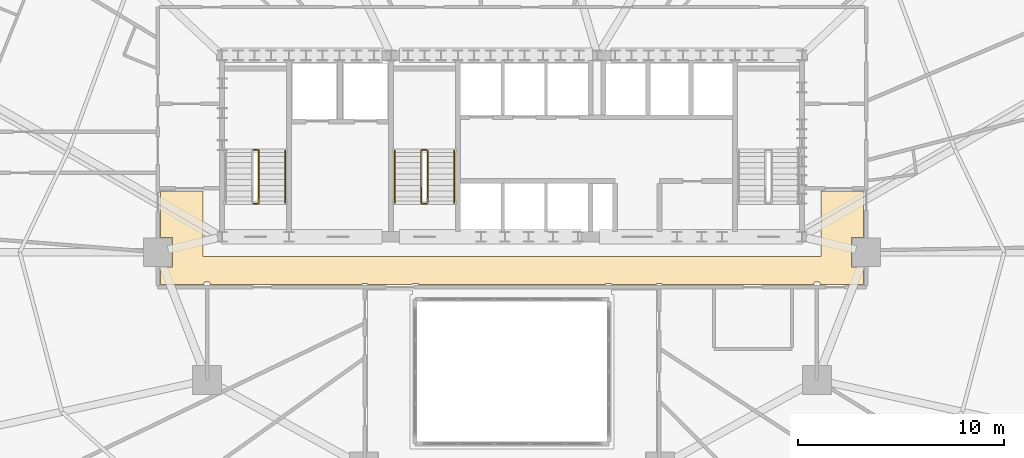
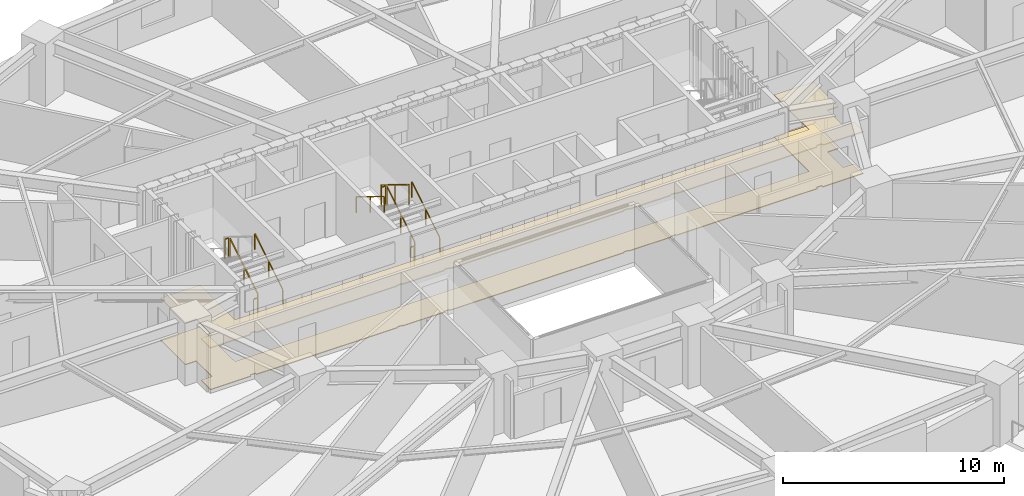
# One storey, part 15 of 17: 10 railings, 2 coverings.
"""IFC4 building model written with IfcOpenShell, lengths in metres."""

import ifcopenshell
import ifcopenshell.guid

model = None  # the IFC model being written
_history = None  # IfcOwnerHistory: only IFC2X3 demands one
_inside = {}  # id of a spatial element -> (the spatial element, [elements in it])
_under = {}  # id of a project, library or spatial element -> (it, [spatial elements below it])
_declared = {}  # id of a project -> (the project, [libraries it declares])
_typed = {}  # id of a type object -> (the type object, [elements of that type])
_made_of = {}  # id of a material, layer set ... -> (it, [elements and type objects made of it])


def new_model(schema):
    """Start an empty IFC model of exactly this schema.

    Asked for "IFC4X3", IfcOpenShell would pick the latest addendum, in which some entities
    have other attributes; the version numbers below select the first issue.
    IFC2X3 requires an IfcOwnerHistory on every rooted entity: one is made here for all.
    """
    global model, _history
    if schema == "IFC4X3":
        model = ifcopenshell.file(schema_version=(4, 3, 0, 0))
    else:
        model = ifcopenshell.file(schema=schema)
    _inside.clear()
    _under.clear()
    _declared.clear()
    _typed.clear()
    _made_of.clear()
    _history = None
    if model.schema == "IFC2X3":
        org = make("IfcOrganization", Name="unknown")
        user = make(
            "IfcPersonAndOrganization",
            ThePerson=make("IfcPerson", FamilyName="unknown"),
            TheOrganization=org,
        )
        app = make(
            "IfcApplication",
            ApplicationDeveloper=org,
            Version="unknown",
            ApplicationFullName="unknown",
            ApplicationIdentifier="unknown",
        )
        _history = make(
            "IfcOwnerHistory",
            OwningUser=user,
            OwningApplication=app,
            ChangeAction="ADDED",
            CreationDate=0,
        )
    return model


def make(cls, **values):
    """One entity of the class cls with the attributes given. An attribute that is None is left unset."""
    return model.create_entity(
        cls, **{name: value for name, value in values.items() if value is not None}
    )


def rooted(cls, **values):
    """An entity with a GlobalId (a new one), such as an element, a storey or a relation."""
    return make(cls, GlobalId=ifcopenshell.guid.new(), OwnerHistory=_history, **values)


def si_unit(unit_type, name, prefix=None):
    """IfcSIUnit, for example si_unit("LENGTHUNIT", "METRE", prefix="MILLI")."""
    return make("IfcSIUnit", UnitType=unit_type, Prefix=prefix, Name=name)


def assignment(units):
    """IfcUnitAssignment: the units of a project."""
    return None if units is None else make("IfcUnitAssignment", Units=units)


def point(xyz):
    """IfcCartesianPoint."""
    return None if xyz is None else make("IfcCartesianPoint", Coordinates=xyz)


def direction(xyz):
    """IfcDirection."""
    return None if xyz is None else make("IfcDirection", DirectionRatios=xyz)


def frame(location, z_axis=None, x_axis=None):
    """IfcAxis2Placement3D, a coordinate frame: its origin and axes. An axis left out is left unset."""
    return make(
        "IfcAxis2Placement3D",
        Location=point(location),
        Axis=direction(z_axis),
        RefDirection=direction(x_axis),
    )


def frame_2d(location, x_axis=None):
    """IfcAxis2Placement2D, a coordinate frame in the plane: its origin and x axis."""
    return make(
        "IfcAxis2Placement2D", Location=point(location), RefDirection=direction(x_axis)
    )


def origin():
    """The frame at (0, 0, 0) with its axes left unset."""
    return frame((0.0, 0.0, 0.0))


def origin_2d():
    """The frame at (0, 0) in the plane with its x axis left unset."""
    return frame_2d((0.0, 0.0))


def place(relative_to, where):
    """IfcLocalPlacement: puts the frame where relative to a parent placement (None: the world)."""
    return make(
        "IfcLocalPlacement", PlacementRelTo=relative_to, RelativePlacement=where
    )


def context(
    kind, dimensions, precision=None, world=None, true_north=None, identifier=None
):
    """IfcGeometricRepresentationContext, for example the 3D "Model" context."""
    return make(
        "IfcGeometricRepresentationContext",
        ContextIdentifier=identifier,
        ContextType=kind,
        CoordinateSpaceDimension=dimensions,
        Precision=precision,
        WorldCoordinateSystem=world,
        TrueNorth=true_north,
    )


def subcontext(parent, identifier, kind, view, scale=None):
    """IfcGeometricRepresentationSubContext, for example "Body" below "Model"."""
    return make(
        "IfcGeometricRepresentationSubContext",
        ContextIdentifier=identifier,
        ContextType=kind,
        ParentContext=parent,
        TargetScale=scale,
        TargetView=view,
    )


def project(units=None, contexts=None):
    """IfcProject with its units and contexts."""
    return rooted(
        "IfcProject",
        Name="project",
        RepresentationContexts=contexts,
        UnitsInContext=assignment(units),
    )


def spatial(cls, under=None, at=None, **own):
    """A site, building, storey or space (cls), placed at a placement, below another one or the project."""
    s = rooted(cls, ObjectPlacement=at, **own)
    if under is not None:
        _under.setdefault(under.id(), (under, []))[1].append(s)
    return s


def polyline(points):
    """IfcPolyline through the points."""
    return make("IfcPolyline", Points=[point(p) for p in points])


def profile(cls, at=None, kind="AREA", **sizes):
    """A parametric profile (cls). Its sizes go by their IFC names, for example OverallWidth=200.0."""
    return make(cls, ProfileType=kind, Position=at, **sizes)


def rectangle(**sizes):
    """IfcRectangleProfileDef."""
    return profile("IfcRectangleProfileDef", **sizes)


def outline(outer, holes=None, kind="AREA"):
    """IfcArbitraryClosedProfileDef: a profile drawn as a closed curve; with holes, ...WithVoids."""
    if holes is None:
        return make("IfcArbitraryClosedProfileDef", ProfileType=kind, OuterCurve=outer)
    return make(
        "IfcArbitraryProfileDefWithVoids",
        ProfileType=kind,
        OuterCurve=outer,
        InnerCurves=holes,
    )


def extrude(swept, where, along, depth):
    """IfcExtrudedAreaSolid: the profile swept, set in the frame where, extruded along a direction by depth."""
    return make(
        "IfcExtrudedAreaSolid",
        SweptArea=swept,
        Position=where,
        ExtrudedDirection=direction(along),
        Depth=depth,
    )


def shape(context_of_items, identifier, shape_type, items):
    """IfcShapeRepresentation: the items that make up one representation, for example the "Body"."""
    return make(
        "IfcShapeRepresentation",
        ContextOfItems=context_of_items,
        RepresentationIdentifier=identifier,
        RepresentationType=shape_type,
        Items=items,
    )


def material(Name=None, Category=None):
    """IfcMaterial."""
    return make("IfcMaterial", Name=Name, Category=Category)


def layer(
    of_material, thickness, ventilated=None, Name=None, Category=None, Priority=None
):
    """IfcMaterialLayer: one layer of a wall or slab, of a material (None: an air gap)."""
    return make(
        "IfcMaterialLayer",
        Material=of_material,
        LayerThickness=thickness,
        IsVentilated=ventilated,
        Name=Name,
        Category=Category,
        Priority=Priority,
    )


def layer_set(layers, Name=None):
    """IfcMaterialLayerSet."""
    return make("IfcMaterialLayerSet", MaterialLayers=layers, LayerSetName=Name)


def made_of(thing, what):
    """Note that an element or type object is made of a material, layer set ...; save() writes the relation."""
    if what is not None:
        _made_of.setdefault(what.id(), (what, []))[1].append(thing)
    return thing


def type_object(cls, material=None, **own):
    """A type object (cls), such as IfcWallType, which elements share."""
    return made_of(rooted(cls, **own), material)


def element(
    cls,
    number,
    at=None,
    inside=None,
    cuts=None,
    type_object=None,
    material=None,
    context=None,
    identifier="Body",
    shape_type=None,
    held_by="IfcProductDefinitionShape",
    body=None,
    shapes=None,
    **own,
):
    """One element of the class cls, such as IfcWall. Its Tag is "e" and its number.

    at: its placement. inside: the storey or other place that contains it. cuts: it is an
    opening in that element (IfcRelVoidsElement). A single representation is given by context,
    identifier, shape_type and body (its items); several are given by shapes. held_by: the class
    of the entity that holds the representations. save() writes the other relations.
    """
    e = rooted(cls, Tag="e%d" % number, ObjectPlacement=at, **own)
    if body is not None:
        shapes = [shape(context, identifier, shape_type, body)]
    if shapes is not None:
        e.Representation = make(held_by, Representations=shapes)
    if inside is not None:
        _inside.setdefault(inside.id(), (inside, []))[1].append(e)
    if cuts is not None:
        rooted(
            "IfcRelVoidsElement", RelatingBuildingElement=cuts, RelatedOpeningElement=e
        )
    if type_object is not None:
        _typed.setdefault(type_object.id(), (type_object, []))[1].append(e)
    return made_of(e, material)


def aggregate(whole, parts):
    """IfcRelAggregates: a whole, such as a stair, and the parts it consists of."""
    return rooted("IfcRelAggregates", RelatingObject=whole, RelatedObjects=parts)


def save(model, path):
    """Write the relations noted so far, then the file.

    IfcRelAggregates (storeys below a building ...), IfcRelContainedInSpatialStructure (elements
    in a storey), IfcRelDefinesByType, IfcRelAssociatesMaterial and IfcRelDeclares: one each for
    every whole, place, type object, material and project.
    """
    for whole, parts in _under.values():
        aggregate(whole, parts)
    for where, things in _inside.values():
        rooted(
            "IfcRelContainedInSpatialStructure",
            RelatedElements=things,
            RelatingStructure=where,
        )
    for kind, things in _typed.values():
        rooted("IfcRelDefinesByType", RelatedObjects=things, RelatingType=kind)
    for what, things in _made_of.values():
        rooted("IfcRelAssociatesMaterial", RelatedObjects=things, RelatingMaterial=what)
    for by, libraries in _declared.values():
        rooted("IfcRelDeclares", RelatingContext=by, RelatedDefinitions=libraries)
    model.write(path)


model = new_model("IFC4")

# Units and contexts
model_context = context("Model", 3, precision=1e-05, world=origin(), true_north=direction((0.0, 1.0)))
body_context = subcontext(model_context, "Body", "Model", "MODEL_VIEW")
ifc_project = project(units=[si_unit("LENGTHUNIT", "METRE"), si_unit("AREAUNIT", "SQUARE_METRE"), si_unit("VOLUMEUNIT", "CUBIC_METRE"), si_unit("PLANEANGLEUNIT", "RADIAN"), si_unit("MASSUNIT", "GRAM", prefix="KILO")], contexts=[model_context])

# Site, building, storey
site_placement = place(None, origin())
site = spatial("IfcSite", under=ifc_project, at=site_placement, CompositionType="ELEMENT")
building_placement = place(site_placement, origin())
building = spatial("IfcBuilding", under=site, at=building_placement, Name="Haldorwick Loom Tower", CompositionType="ELEMENT")
storey_placement = place(building_placement, frame((0.0, 0.0, 30.89990234375)))
storey = spatial("IfcBuildingStorey", under=building, at=storey_placement, Name="L07", CompositionType="ELEMENT", Elevation=30.89990234375)

# Coverings
ifc_material_1 = material(Name="Mineral Fibre Acoustic Ceiling Tile")
ifc_layer_1 = layer(ifc_material_1, 0.054931640625, Name="Mineral Fibre Acoustic Ceiling Tile")
ifc_layer_set_1 = layer_set([ifc_layer_1], Name="Mineral Fibre Acoustic Ceiling Tile")
covering_type_1 = type_object("IfcCoveringType", Name="ARC-COV-CEIL2", PredefinedType="CEILING", material=ifc_layer_set_1)
covering_1_placement = place(storey_placement, frame((0.0, 0.0, 2.302001953125)))
element("IfcCovering", 1, at=covering_1_placement, inside=storey, type_object=covering_type_1, Name="L07 Acoustic Suspended Ceiling 2", PredefinedType="CEILING", context=body_context, shape_type="SweptSolid", body=[
    extrude(outline(polyline([(51.0, 28.9599609375), (51.0, 25.800048828125), (21.0, 25.800048828125), (21.0, 28.9599609375), (18.93994140625, 28.9599609375), (18.93994140625, 26.7080078125), (19.508056640625, 26.7080078125), (19.508056640625, 25.2919921875), (18.93994140625, 25.2919921875), (18.93994140625, 24.43994140625), (21.06005859375, 24.43994140625), (21.06005859375, 24.52001953125), (21.06005859375, 24.52197265625), (21.060302734375, 24.52392578125), (21.060791015625, 24.52587890625), (21.0615234375, 24.527587890625), (21.0625, 24.529296875), (21.0634765625, 24.531005859375), (21.064453125, 24.53271484375), (21.06591796875, 24.5341796875), (21.0673828125, 24.535400390625), (21.06884765625, 24.53662109375), (21.070556640625, 24.53759765625), (21.072265625, 24.53857421875), (21.07421875, 24.5390625), (21.076171875, 24.53955078125), (21.077880859375, 24.539794921875), (21.080078125, 24.5400390625), (21.320068359375, 24.5400390625), (21.322021484375, 24.539794921875), (21.323974609375, 24.53955078125), (21.32568359375, 24.5390625), (21.32763671875, 24.53857421875), (21.329345703125, 24.53759765625), (21.3310546875, 24.53662109375), (21.332763671875, 24.535400390625), (21.333984375, 24.5341796875), (21.33544921875, 24.53271484375), (21.336669921875, 24.531005859375), (21.337646484375, 24.529296875), (21.33837890625, 24.527587890625), (21.339111328125, 24.52587890625), (21.339599609375, 24.52392578125), (21.33984375, 24.52197265625), (21.340087890625, 24.52001953125), (21.340087890625, 24.43994140625), (28.7099609375, 24.43994140625), (28.7099609375, 24.469970703125), (28.710205078125, 24.471923828125), (28.71044921875, 24.473876953125), (28.7109375, 24.475830078125), (28.71142578125, 24.477783203125), (28.71240234375, 24.4794921875), (28.71337890625, 24.481201171875), (28.714599609375, 24.482666015625), (28.7158203125, 24.484130859375), (28.71728515625, 24.485595703125), (28.718994140625, 24.486572265625), (28.720703125, 24.487548828125), (28.722412109375, 24.488525390625), (28.72412109375, 24.489013671875), (28.72607421875, 24.489501953125), (28.72802734375, 24.489990234375), (28.72998046875, 24.489990234375), (28.969970703125, 24.489990234375), (28.971923828125, 24.489990234375), (28.973876953125, 24.489501953125), (28.975830078125, 24.489013671875), (28.977783203125, 24.488525390625), (28.9794921875, 24.487548828125), (28.981201171875, 24.486572265625), (28.982666015625, 24.485595703125), (28.984130859375, 24.484130859375), (28.985595703125, 24.482666015625), (28.986572265625, 24.481201171875), (28.987548828125, 24.4794921875), (28.988525390625, 24.477783203125), (28.989013671875, 24.475830078125), (28.989501953125, 24.473876953125), (28.989990234375, 24.471923828125), (28.989990234375, 24.469970703125), (28.989990234375, 24.43994140625), (31.179931640625, 24.43994140625), (31.179931640625, 24.469970703125), (31.18017578125, 24.471923828125), (31.180419921875, 24.473876953125), (31.180908203125, 24.475830078125), (31.181396484375, 24.477783203125), (31.182373046875, 24.4794921875), (31.183349609375, 24.481201171875), (31.1845703125, 24.482666015625), (31.185791015625, 24.484130859375), (31.187255859375, 24.485595703125), (31.18896484375, 24.486572265625), (31.190673828125, 24.487548828125), (31.1923828125, 24.488525390625), (31.194091796875, 24.489013671875), (31.196044921875, 24.489501953125), (31.197998046875, 24.489990234375), (31.199951171875, 24.489990234375), (31.43994140625, 24.489990234375), (31.44189453125, 24.489990234375), (31.44384765625, 24.489501953125), (31.44580078125, 24.489013671875), (31.44775390625, 24.488525390625), (31.449462890625, 24.487548828125), (31.451171875, 24.486572265625), (31.45263671875, 24.485595703125), (31.4541015625, 24.484130859375), (31.45556640625, 24.482666015625), (31.45654296875, 24.481201171875), (31.45751953125, 24.4794921875), (31.45849609375, 24.477783203125), (31.458984375, 24.475830078125), (31.459716796875, 24.473876953125), (31.4599609375, 24.471923828125), (31.4599609375, 24.469970703125), (31.4599609375, 24.43994140625), (40.5400390625, 24.43994140625), (40.5400390625, 24.469970703125), (40.5400390625, 24.471923828125), (40.540283203125, 24.473876953125), (40.541015625, 24.475830078125), (40.54150390625, 24.477783203125), (40.54248046875, 24.4794921875), (40.54345703125, 24.481201171875), (40.54443359375, 24.482666015625), (40.5458984375, 24.484130859375), (40.54736328125, 24.485595703125), (40.548828125, 24.486572265625), (40.550537109375, 24.487548828125), (40.55224609375, 24.488525390625), (40.55419921875, 24.489013671875), (40.55615234375, 24.489501953125), (40.55810546875, 24.489990234375), (40.56005859375, 24.489990234375), (40.800048828125, 24.489990234375), (40.802001953125, 24.489990234375), (40.803955078125, 24.489501953125), (40.805908203125, 24.489013671875), (40.8076171875, 24.488525390625), (40.809326171875, 24.487548828125), (40.81103515625, 24.486572265625), (40.812744140625, 24.485595703125), (40.814208984375, 24.484130859375), (40.8154296875, 24.482666015625), (40.816650390625, 24.481201171875), (40.817626953125, 24.4794921875), (40.818603515625, 24.477783203125), (40.819091796875, 24.475830078125), (40.819580078125, 24.473876953125), (40.81982421875, 24.471923828125), (40.820068359375, 24.469970703125), (40.820068359375, 24.43994140625), (43.010009765625, 24.43994140625), (43.010009765625, 24.469970703125), (43.010009765625, 24.471923828125), (43.010498046875, 24.473876953125), (43.010986328125, 24.475830078125), (43.011474609375, 24.477783203125), (43.012451171875, 24.4794921875), (43.013427734375, 24.481201171875), (43.014404296875, 24.482666015625), (43.015869140625, 24.484130859375), (43.017333984375, 24.485595703125), (43.018798828125, 24.486572265625), (43.0205078125, 24.487548828125), (43.022216796875, 24.488525390625), (43.024169921875, 24.489013671875), (43.026123046875, 24.489501953125), (43.028076171875, 24.489990234375), (43.030029296875, 24.489990234375), (43.27001953125, 24.489990234375), (43.27197265625, 24.489990234375), (43.27392578125, 24.489501953125), (43.27587890625, 24.489013671875), (43.277587890625, 24.488525390625), (43.279296875, 24.487548828125), (43.281005859375, 24.486572265625), (43.28271484375, 24.485595703125), (43.2841796875, 24.484130859375), (43.285400390625, 24.482666015625), (43.28662109375, 24.481201171875), (43.28759765625, 24.4794921875), (43.28857421875, 24.477783203125), (43.2890625, 24.475830078125), (43.28955078125, 24.473876953125), (43.289794921875, 24.471923828125), (43.2900390625, 24.469970703125), (43.2900390625, 24.43994140625), (50.659912109375, 24.43994140625), (50.659912109375, 24.52001953125), (50.66015625, 24.52197265625), (50.660400390625, 24.52392578125), (50.660888671875, 24.52587890625), (50.66162109375, 24.527587890625), (50.662353515625, 24.529296875), (50.663330078125, 24.531005859375), (50.66455078125, 24.53271484375), (50.666015625, 24.5341796875), (50.667236328125, 24.535400390625), (50.6689453125, 24.53662109375), (50.670654296875, 24.53759765625), (50.67236328125, 24.53857421875), (50.67431640625, 24.5390625), (50.676025390625, 24.53955078125), (50.677978515625, 24.539794921875), (50.679931640625, 24.5400390625), (50.919921875, 24.5400390625), (50.922119140625, 24.539794921875), (50.923828125, 24.53955078125), (50.92578125, 24.5390625), (50.927734375, 24.53857421875), (50.929443359375, 24.53759765625), (50.93115234375, 24.53662109375), (50.9326171875, 24.535400390625), (50.93408203125, 24.5341796875), (50.935546875, 24.53271484375), (50.9365234375, 24.531005859375), (50.9375, 24.529296875), (50.9384765625, 24.527587890625), (50.939208984375, 24.52587890625), (50.939697265625, 24.52392578125), (50.93994140625, 24.52197265625), (50.93994140625, 24.52001953125), (50.93994140625, 24.43994140625), (53.06005859375, 24.43994140625), (53.06005859375, 25.2919921875), (52.491943359375, 25.2919921875), (52.491943359375, 26.7080078125), (53.06005859375, 26.7080078125), (53.06005859375, 28.9599609375), (51.0, 28.9599609375)])), origin(), (0.0, 0.0, 1.0), 0.05517578125),
])
ifc_material_2 = material(Name="Polished Aggregate Terrazzo Finish")
ifc_layer_2 = layer(ifc_material_2, 0.044921875, Name="Polished Aggregate Terrazzo Finish")
ifc_layer_set_2 = layer_set([ifc_layer_2], Name="Polished Aggregate Terrazzo Finish")
covering_type_2 = type_object("IfcCoveringType", Name="ARC-COV-FLOOR2", PredefinedType="FLOORING", material=ifc_layer_set_2)
covering_2_placement = place(storey_placement, origin())
element("IfcCovering", 2, at=covering_2_placement, inside=storey, type_object=covering_type_2, Name="L07 Floor Finish 2", PredefinedType="FLOORING", context=body_context, shape_type="SweptSolid", body=[
    extrude(outline(polyline([(51.0, 28.9599609375), (51.0, 25.800048828125), (21.0, 25.800048828125), (21.0, 28.9599609375), (18.93994140625, 28.9599609375), (18.93994140625, 26.7080078125), (19.508056640625, 26.7080078125), (19.508056640625, 25.2919921875), (18.93994140625, 25.2919921875), (18.93994140625, 24.43994140625), (21.06005859375, 24.43994140625), (21.06005859375, 24.52001953125), (21.06005859375, 24.52197265625), (21.060302734375, 24.52392578125), (21.060791015625, 24.52587890625), (21.0615234375, 24.527587890625), (21.0625, 24.529296875), (21.0634765625, 24.531005859375), (21.064453125, 24.53271484375), (21.06591796875, 24.5341796875), (21.0673828125, 24.535400390625), (21.06884765625, 24.53662109375), (21.070556640625, 24.53759765625), (21.072265625, 24.53857421875), (21.07421875, 24.5390625), (21.076171875, 24.53955078125), (21.077880859375, 24.539794921875), (21.080078125, 24.5400390625), (21.320068359375, 24.5400390625), (21.322021484375, 24.539794921875), (21.323974609375, 24.53955078125), (21.32568359375, 24.5390625), (21.32763671875, 24.53857421875), (21.329345703125, 24.53759765625), (21.3310546875, 24.53662109375), (21.332763671875, 24.535400390625), (21.333984375, 24.5341796875), (21.33544921875, 24.53271484375), (21.336669921875, 24.531005859375), (21.337646484375, 24.529296875), (21.33837890625, 24.527587890625), (21.339111328125, 24.52587890625), (21.339599609375, 24.52392578125), (21.33984375, 24.52197265625), (21.340087890625, 24.52001953125), (21.340087890625, 24.43994140625), (28.7099609375, 24.43994140625), (28.7099609375, 24.469970703125), (28.710205078125, 24.471923828125), (28.71044921875, 24.473876953125), (28.7109375, 24.475830078125), (28.71142578125, 24.477783203125), (28.71240234375, 24.4794921875), (28.71337890625, 24.481201171875), (28.714599609375, 24.482666015625), (28.7158203125, 24.484130859375), (28.71728515625, 24.485595703125), (28.718994140625, 24.486572265625), (28.720703125, 24.487548828125), (28.722412109375, 24.488525390625), (28.72412109375, 24.489013671875), (28.72607421875, 24.489501953125), (28.72802734375, 24.489990234375), (28.72998046875, 24.489990234375), (28.969970703125, 24.489990234375), (28.971923828125, 24.489990234375), (28.973876953125, 24.489501953125), (28.975830078125, 24.489013671875), (28.977783203125, 24.488525390625), (28.9794921875, 24.487548828125), (28.981201171875, 24.486572265625), (28.982666015625, 24.485595703125), (28.984130859375, 24.484130859375), (28.985595703125, 24.482666015625), (28.986572265625, 24.481201171875), (28.987548828125, 24.4794921875), (28.988525390625, 24.477783203125), (28.989013671875, 24.475830078125), (28.989501953125, 24.473876953125), (28.989990234375, 24.471923828125), (28.989990234375, 24.469970703125), (28.989990234375, 24.43994140625), (31.179931640625, 24.43994140625), (31.179931640625, 24.469970703125), (31.18017578125, 24.471923828125), (31.180419921875, 24.473876953125), (31.180908203125, 24.475830078125), (31.181396484375, 24.477783203125), (31.182373046875, 24.4794921875), (31.183349609375, 24.481201171875), (31.1845703125, 24.482666015625), (31.185791015625, 24.484130859375), (31.187255859375, 24.485595703125), (31.18896484375, 24.486572265625), (31.190673828125, 24.487548828125), (31.1923828125, 24.488525390625), (31.194091796875, 24.489013671875), (31.196044921875, 24.489501953125), (31.197998046875, 24.489990234375), (31.199951171875, 24.489990234375), (31.43994140625, 24.489990234375), (31.44189453125, 24.489990234375), (31.44384765625, 24.489501953125), (31.44580078125, 24.489013671875), (31.44775390625, 24.488525390625), (31.449462890625, 24.487548828125), (31.451171875, 24.486572265625), (31.45263671875, 24.485595703125), (31.4541015625, 24.484130859375), (31.45556640625, 24.482666015625), (31.45654296875, 24.481201171875), (31.45751953125, 24.4794921875), (31.45849609375, 24.477783203125), (31.458984375, 24.475830078125), (31.459716796875, 24.473876953125), (31.4599609375, 24.471923828125), (31.4599609375, 24.469970703125), (31.4599609375, 24.43994140625), (40.5400390625, 24.43994140625), (40.5400390625, 24.469970703125), (40.5400390625, 24.471923828125), (40.540283203125, 24.473876953125), (40.541015625, 24.475830078125), (40.54150390625, 24.477783203125), (40.54248046875, 24.4794921875), (40.54345703125, 24.481201171875), (40.54443359375, 24.482666015625), (40.5458984375, 24.484130859375), (40.54736328125, 24.485595703125), (40.548828125, 24.486572265625), (40.550537109375, 24.487548828125), (40.55224609375, 24.488525390625), (40.55419921875, 24.489013671875), (40.55615234375, 24.489501953125), (40.55810546875, 24.489990234375), (40.56005859375, 24.489990234375), (40.800048828125, 24.489990234375), (40.802001953125, 24.489990234375), (40.803955078125, 24.489501953125), (40.805908203125, 24.489013671875), (40.8076171875, 24.488525390625), (40.809326171875, 24.487548828125), (40.81103515625, 24.486572265625), (40.812744140625, 24.485595703125), (40.814208984375, 24.484130859375), (40.8154296875, 24.482666015625), (40.816650390625, 24.481201171875), (40.817626953125, 24.4794921875), (40.818603515625, 24.477783203125), (40.819091796875, 24.475830078125), (40.819580078125, 24.473876953125), (40.81982421875, 24.471923828125), (40.820068359375, 24.469970703125), (40.820068359375, 24.43994140625), (43.010009765625, 24.43994140625), (43.010009765625, 24.469970703125), (43.010009765625, 24.471923828125), (43.010498046875, 24.473876953125), (43.010986328125, 24.475830078125), (43.011474609375, 24.477783203125), (43.012451171875, 24.4794921875), (43.013427734375, 24.481201171875), (43.014404296875, 24.482666015625), (43.015869140625, 24.484130859375), (43.017333984375, 24.485595703125), (43.018798828125, 24.486572265625), (43.0205078125, 24.487548828125), (43.022216796875, 24.488525390625), (43.024169921875, 24.489013671875), (43.026123046875, 24.489501953125), (43.028076171875, 24.489990234375), (43.030029296875, 24.489990234375), (43.27001953125, 24.489990234375), (43.27197265625, 24.489990234375), (43.27392578125, 24.489501953125), (43.27587890625, 24.489013671875), (43.277587890625, 24.488525390625), (43.279296875, 24.487548828125), (43.281005859375, 24.486572265625), (43.28271484375, 24.485595703125), (43.2841796875, 24.484130859375), (43.285400390625, 24.482666015625), (43.28662109375, 24.481201171875), (43.28759765625, 24.4794921875), (43.28857421875, 24.477783203125), (43.2890625, 24.475830078125), (43.28955078125, 24.473876953125), (43.289794921875, 24.471923828125), (43.2900390625, 24.469970703125), (43.2900390625, 24.43994140625), (50.659912109375, 24.43994140625), (50.659912109375, 24.52001953125), (50.66015625, 24.52197265625), (50.660400390625, 24.52392578125), (50.660888671875, 24.52587890625), (50.66162109375, 24.527587890625), (50.662353515625, 24.529296875), (50.663330078125, 24.531005859375), (50.66455078125, 24.53271484375), (50.666015625, 24.5341796875), (50.667236328125, 24.535400390625), (50.6689453125, 24.53662109375), (50.670654296875, 24.53759765625), (50.67236328125, 24.53857421875), (50.67431640625, 24.5390625), (50.676025390625, 24.53955078125), (50.677978515625, 24.539794921875), (50.679931640625, 24.5400390625), (50.919921875, 24.5400390625), (50.922119140625, 24.539794921875), (50.923828125, 24.53955078125), (50.92578125, 24.5390625), (50.927734375, 24.53857421875), (50.929443359375, 24.53759765625), (50.93115234375, 24.53662109375), (50.9326171875, 24.535400390625), (50.93408203125, 24.5341796875), (50.935546875, 24.53271484375), (50.9365234375, 24.531005859375), (50.9375, 24.529296875), (50.9384765625, 24.527587890625), (50.939208984375, 24.52587890625), (50.939697265625, 24.52392578125), (50.93994140625, 24.52197265625), (50.93994140625, 24.52001953125), (50.93994140625, 24.43994140625), (53.06005859375, 24.43994140625), (53.06005859375, 25.2919921875), (52.491943359375, 25.2919921875), (52.491943359375, 26.7080078125), (53.06005859375, 26.7080078125), (53.06005859375, 28.9599609375), (51.0, 28.9599609375)])), origin(), (0.0, 0.0, 1.0), 0.045166015625),
])

# Railings
ifc_material_3 = material(Name="Steel CSA G40.21 350W", Category="steel")
railing_type_1 = type_object("IfcRailingType", Name="ARC-RLG-GUARD112", PredefinedType="GUARDRAIL", material=ifc_material_3)
railing_1_placement = place(storey_placement, frame((23.699951171875, 28.39990234375, 0.172607421875)))
element("IfcRailing", 3, at=railing_1_placement, inside=storey, type_object=railing_type_1, Name="L07 ST-01 stair guard 1", PredefinedType="GUARDRAIL", context=body_context, shape_type="SweptSolid", body=[
    extrude(rectangle(XDim=0.048095703125, YDim=0.048095703125, at=origin_2d()), frame((0.0, 0.0, 1.076171875), z_axis=(0.0, 0.851400495292, 0.524516154772), x_axis=(-1.0, 0.0, 0.0)), (0.0, 0.0, 1.0), 2.9599609375),
    extrude(rectangle(XDim=0.0419921875, YDim=0.0419921875, at=origin_2d()), origin(), (0.0, 0.0, 1.0), 1.052001953125),
    extrude(rectangle(XDim=0.0419921875, YDim=0.0419921875, at=origin_2d()), frame((0.0, 1.260009765625, 0.7763671875)), (0.0, 0.0, 1.0), 1.052001953125),
    extrude(rectangle(XDim=0.0419921875, YDim=0.0419921875, at=origin_2d()), frame((0.0, 2.52001953125, 1.552490234375)), (0.0, 0.0, 1.0), 1.052001953125),
])
for number, where, name in (
    (4, (23.64990234375, 30.969970703125, 1.72509765625), "L07 ST-01 stair guard 2"),
    (5, (23.64990234375, 28.35009765625, 0.0), "L07 ST-01 stair guard 4"),
):
    element("IfcRailing", number, at=place(storey_placement, frame(where)), inside=storey, type_object=railing_type_1, Name=name, PredefinedType="GUARDRAIL", context=body_context, shape_type="SweptSolid", body=[
        extrude(rectangle(XDim=0.048095703125, YDim=0.048095703125, at=origin_2d()), frame((0.0, 0.0, 1.076171875), z_axis=(-1.0, 0.0, 0.0), x_axis=(0.0, -1.0, 0.0)), (0.0, 0.0, 1.0), 0.199951171875),
        extrude(rectangle(XDim=0.0419921875, YDim=0.0419921875, at=origin_2d()), origin(), (0.0, 0.0, 1.0), 1.052001953125),
        extrude(rectangle(XDim=0.0419921875, YDim=0.0419921875, at=origin_2d()), frame((-0.199951171875, 0.0, 0.0)), (0.0, 0.0, 1.0), 1.052001953125),
    ])
railing_2_placement = place(storey_placement, frame((31.89990234375, 28.39990234375, 0.172607421875)))
element("IfcRailing", 6, at=railing_2_placement, inside=storey, type_object=railing_type_1, Name="L07 ST-03 stair guard 1", PredefinedType="GUARDRAIL", context=body_context, shape_type="SweptSolid", body=[
    extrude(rectangle(XDim=0.048095703125, YDim=0.048095703125, at=origin_2d()), frame((0.0, 0.0, 1.076171875), z_axis=(0.0, 0.851400495292, 0.524516154772), x_axis=(-1.0, 0.0, 0.0)), (0.0, 0.0, 1.0), 2.9599609375),
    extrude(rectangle(XDim=0.0419921875, YDim=0.0419921875, at=origin_2d()), origin(), (0.0, 0.0, 1.0), 1.052001953125),
    extrude(rectangle(XDim=0.0419921875, YDim=0.0419921875, at=origin_2d()), frame((0.0, 1.260009765625, 0.7763671875)), (0.0, 0.0, 1.0), 1.052001953125),
    extrude(rectangle(XDim=0.0419921875, YDim=0.0419921875, at=origin_2d()), frame((0.0, 2.52001953125, 1.552490234375)), (0.0, 0.0, 1.0), 1.052001953125),
])
railing_3_placement = place(storey_placement, frame((31.85009765625, 30.969970703125, 1.72509765625)))
element("IfcRailing", 7, at=railing_3_placement, inside=storey, type_object=railing_type_1, Name="L07 ST-03 stair guard 2", PredefinedType="GUARDRAIL", context=body_context, shape_type="SweptSolid", body=[
    extrude(rectangle(XDim=0.048095703125, YDim=0.048095703125, at=origin_2d()), frame((0.0, 0.0, 1.076171875), z_axis=(-1.0, 0.0, 0.0), x_axis=(0.0, -1.0, 0.0)), (0.0, 0.0, 1.0), 0.2001953125),
    extrude(rectangle(XDim=0.0419921875, YDim=0.0419921875, at=origin_2d()), origin(), (0.0, 0.0, 1.0), 1.052001953125),
    extrude(rectangle(XDim=0.0419921875, YDim=0.0419921875, at=origin_2d()), frame((-0.2001953125, 0.0, 0.0)), (0.0, 0.0, 1.0), 1.052001953125),
])
railing_4_placement = place(storey_placement, frame((31.60009765625, 30.919921875, 1.897705078125)))
element("IfcRailing", 8, at=railing_4_placement, inside=storey, type_object=railing_type_1, Name="L07 ST-03 stair guard 3", PredefinedType="GUARDRAIL", context=body_context, shape_type="SweptSolid", body=[
    extrude(rectangle(XDim=0.048095703125, YDim=0.048095703125, at=origin_2d()), frame((0.0, 0.0, 1.076171875), z_axis=(0.0, -0.851400495292, 0.524516154772), x_axis=(1.0, 0.0, 0.0)), (0.0, 0.0, 1.0), 2.9599609375),
    extrude(rectangle(XDim=0.0419921875, YDim=0.0419921875, at=origin_2d()), origin(), (0.0, 0.0, 1.0), 1.052001953125),
    extrude(rectangle(XDim=0.0419921875, YDim=0.0419921875, at=origin_2d()), frame((0.0, -1.260009765625, 0.7763671875)), (0.0, 0.0, 1.0), 1.052001953125),
    extrude(rectangle(XDim=0.0419921875, YDim=0.0419921875, at=origin_2d()), frame((0.0, -2.52001953125, 1.552490234375)), (0.0, 0.0, 1.0), 1.052001953125),
])
railing_5_placement = place(storey_placement, frame((31.85009765625, 28.35009765625, 0.0)))
element("IfcRailing", 9, at=railing_5_placement, inside=storey, type_object=railing_type_1, Name="L07 ST-03 stair guard 4", PredefinedType="GUARDRAIL", context=body_context, shape_type="SweptSolid", body=[
    extrude(rectangle(XDim=0.048095703125, YDim=0.048095703125, at=origin_2d()), frame((0.0, 0.0, 1.076171875), z_axis=(-1.0, 0.0, 0.0), x_axis=(0.0, -1.0, 0.0)), (0.0, 0.0, 1.0), 0.2001953125),
    extrude(rectangle(XDim=0.0419921875, YDim=0.0419921875, at=origin_2d()), origin(), (0.0, 0.0, 1.0), 1.052001953125),
    extrude(rectangle(XDim=0.0419921875, YDim=0.0419921875, at=origin_2d()), frame((-0.2001953125, 0.0, 0.0)), (0.0, 0.0, 1.0), 1.052001953125),
])
railing_type_2 = type_object("IfcRailingType", Name="ARC-RLG-HAND092", PredefinedType="HANDRAIL", material=ifc_material_3)
for number, where, name in (
    (10, (25.0, 28.39990234375, 0.172607421875), "L07 ST-01 stair handrail 1"),
    (11, (33.199951171875, 28.39990234375, 0.172607421875), "L07 ST-03 stair handrail 1"),
):
    element("IfcRailing", number, at=place(storey_placement, frame(where)), inside=storey, type_object=railing_type_2, Name=name, PredefinedType="HANDRAIL", context=body_context, shape_type="SweptSolid", body=[
        extrude(rectangle(XDim=0.048095703125, YDim=0.048095703125, at=origin_2d()), frame((0.0, 0.0, 0.8759765625), z_axis=(0.0, 0.851400495292, 0.524516154772), x_axis=(-1.0, 0.0, 0.0)), (0.0, 0.0, 1.0), 2.9599609375),
        extrude(rectangle(XDim=0.0419921875, YDim=0.0419921875, at=origin_2d()), origin(), (0.0, 0.0, 1.0), 0.851806640625),
        extrude(rectangle(XDim=0.0419921875, YDim=0.0419921875, at=origin_2d()), frame((0.0, 1.260009765625, 0.7763671875)), (0.0, 0.0, 1.0), 0.851806640625),
        extrude(rectangle(XDim=0.0419921875, YDim=0.0419921875, at=origin_2d()), frame((0.0, 2.52001953125, 1.552490234375)), (0.0, 0.0, 1.0), 0.851806640625),
    ])
railing_6_placement = place(storey_placement, frame((30.300048828125, 30.919921875, 1.897705078125)))
element("IfcRailing", 12, at=railing_6_placement, inside=storey, type_object=railing_type_2, Name="L07 ST-03 stair handrail 2", PredefinedType="HANDRAIL", context=body_context, shape_type="SweptSolid", body=[
    extrude(rectangle(XDim=0.048095703125, YDim=0.048095703125, at=origin_2d()), frame((0.0, 0.0, 0.8759765625), z_axis=(0.0, -0.851400495292, 0.524516154772), x_axis=(1.0, 0.0, 0.0)), (0.0, 0.0, 1.0), 2.9599609375),
    extrude(rectangle(XDim=0.0419921875, YDim=0.0419921875, at=origin_2d()), origin(), (0.0, 0.0, 1.0), 0.851806640625),
    extrude(rectangle(XDim=0.0419921875, YDim=0.0419921875, at=origin_2d()), frame((0.0, -1.260009765625, 0.7763671875)), (0.0, 0.0, 1.0), 0.851806640625),
    extrude(rectangle(XDim=0.0419921875, YDim=0.0419921875, at=origin_2d()), frame((0.0, -2.52001953125, 1.552490234375)), (0.0, 0.0, 1.0), 0.851806640625),
])

save(model, "model.ifc")
